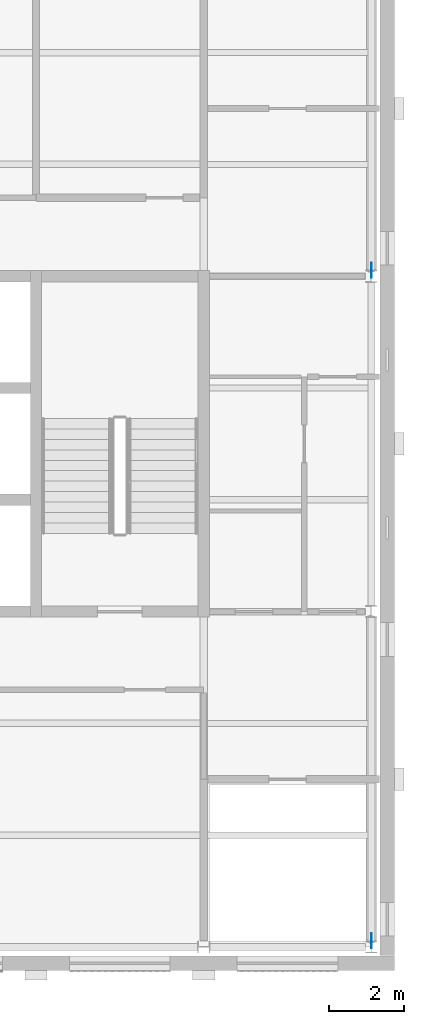
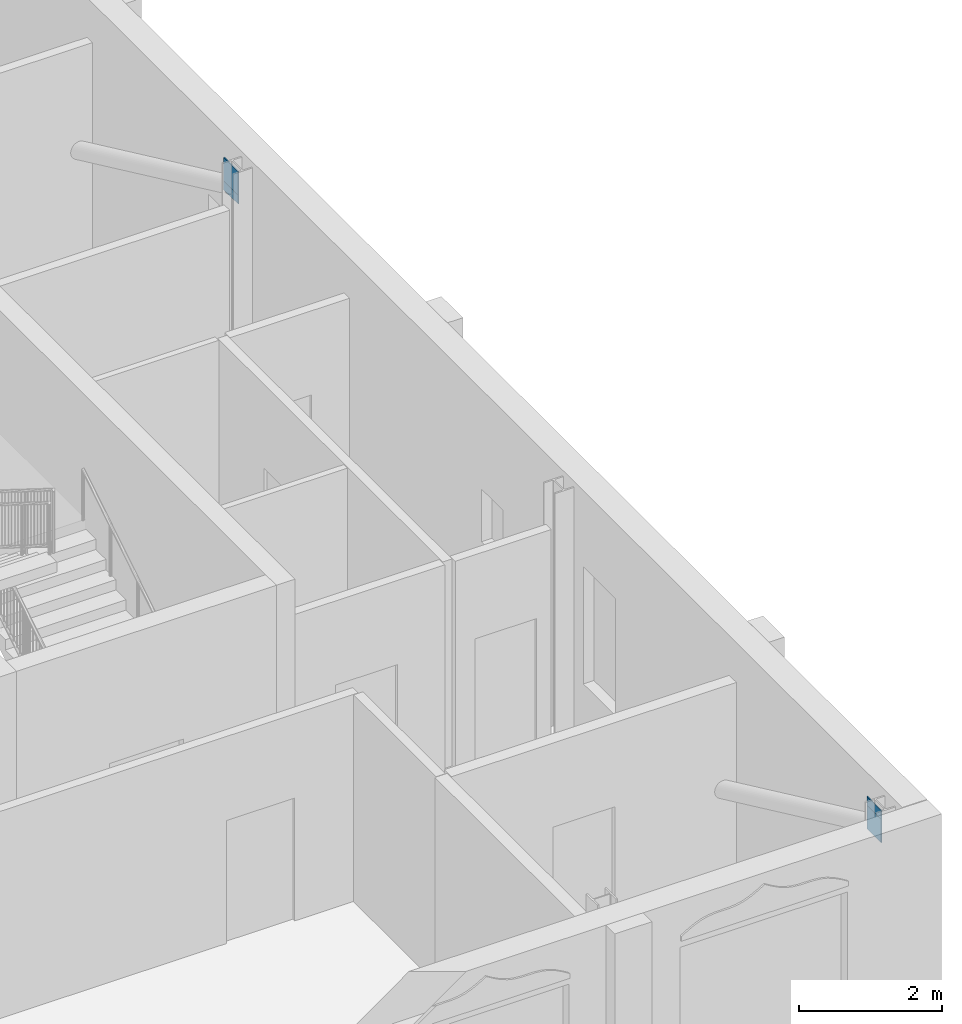
# One storey, part 7 of 9: 4 discrete accessories.
"""IFC4 building model written with IfcOpenShell, lengths in metres."""

from ifc_helpers import new_model, si_unit, direction, frame, origin, origin_2d, place, context, subcontext, project, spatial, rectangle, extrude, material, type_object, element, save


model = new_model("IFC4")

# Units and contexts
model_context = context("Model", 3, precision=1e-05, world=origin(), true_north=direction((0.0, 1.0)))
body_context = subcontext(model_context, "Body", "Model", "MODEL_VIEW")
ifc_project = project(units=[si_unit("LENGTHUNIT", "METRE"), si_unit("AREAUNIT", "SQUARE_METRE"), si_unit("VOLUMEUNIT", "CUBIC_METRE"), si_unit("PLANEANGLEUNIT", "RADIAN"), si_unit("MASSUNIT", "GRAM", prefix="KILO")], contexts=[model_context])

# Site, building, storey
site_placement = place(None, origin())
site = spatial("IfcSite", under=ifc_project, at=site_placement, CompositionType="ELEMENT")
building_placement = place(site_placement, origin())
building = spatial("IfcBuilding", under=site, at=building_placement, Name="Hortulan Conservatory and Botanical Research Centre", CompositionType="ELEMENT")
storey_placement = place(building_placement, frame((0.0, 0.0, 36.0)))
storey = spatial("IfcBuildingStorey", under=building, at=storey_placement, Name="L08", CompositionType="ELEMENT", Elevation=36.0)

# Discrete accessories
ifc_material = material(Name="Steel Grade 300 plate (AS/NZS 3678, 280 MPa minimum yield)", Category="steel")
discrete_accessory_type = type_object("IfcDiscreteAccessoryType", Name="End Plate 400x16", PredefinedType="BRACKET", material=ifc_material)
for number, where, z_axis, x_axis, name in (
    (1, (31.5, 0.16357421875, 3.563720703125), (0.0, 0.0, 1.0), (0.0, -1.0, 0.0), "Brace end plate"),
    (2, (31.5, 0.16357421875, 3.71630859375), (0.0, 0.0, 1.0), (0.0, -1.0, 0.0), "Brace end plate"),
    (3, (31.5, 18.16357421875, 3.563720703125), (0.0, 0.0, 1.0), (0.0, -1.0, 0.0), "Brace end plate"),
    (4, (31.5, 18.16357421875, 3.71630859375), (0.0, 0.0, 1.0), (0.0, -1.0, 0.0), "Brace end plate"),
):
    element("IfcDiscreteAccessory", number, at=place(storey_placement, frame(where, z_axis=z_axis, x_axis=x_axis)), inside=storey, type_object=discrete_accessory_type, Name=name, PredefinedType="BRACKET", context=body_context, shape_type="SweptSolid", body=[
        extrude(rectangle(XDim=0.39990234375, YDim=0.01611328125, at=origin_2d()), origin(), (0.0, 0.0, 1.0), 0.39990234375),
    ])

save(model, "model.ifc")
